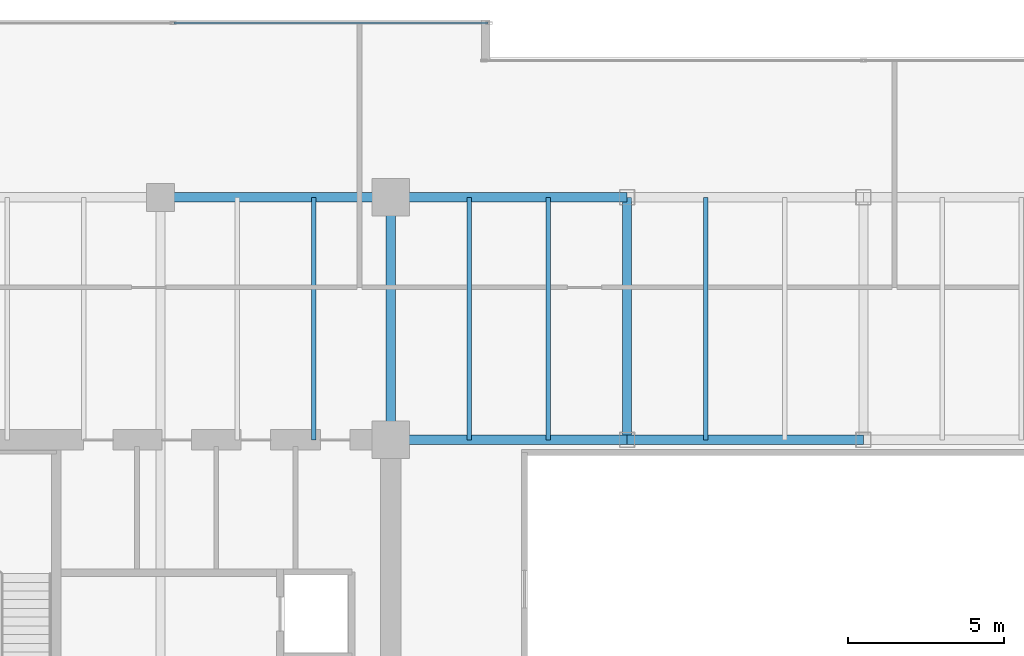
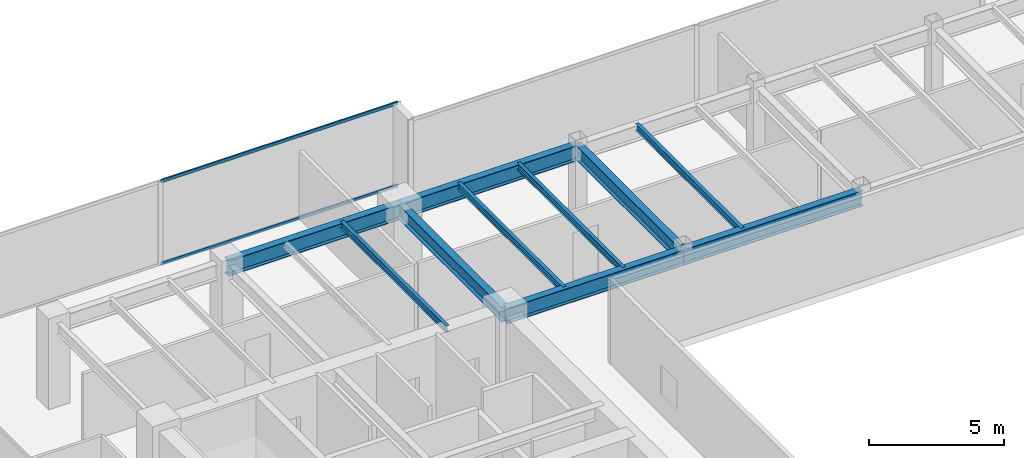
# One storey, part 15 of 30: 10 beams, 2 members, 1 element without a shape of its own.
"""IFC4 building model written with IfcOpenShell, lengths in metres."""

from ifc_helpers import new_model, si_unit, direction, frame, origin, origin_2d, place, context, subcontext, project, spatial, hollow_rectangle, i_section, extrude, source, transform, mapped, material, layer, layer_set, material_profile, profile_set, type_object, type_shapes, element, aggregate, save


model = new_model("IFC4")

# Units and contexts
model_context = context("Model", 3, precision=1e-05, world=origin(), true_north=direction((0.0, 1.0)))
body_context = subcontext(model_context, "Body", "Model", "MODEL_VIEW")
ifc_project = project(units=[si_unit("LENGTHUNIT", "METRE"), si_unit("AREAUNIT", "SQUARE_METRE"), si_unit("VOLUMEUNIT", "CUBIC_METRE"), si_unit("PLANEANGLEUNIT", "RADIAN"), si_unit("MASSUNIT", "GRAM", prefix="KILO")], contexts=[model_context])

# Site, building, storey
site_placement = place(None, origin())
site = spatial("IfcSite", under=ifc_project, at=site_placement, CompositionType="ELEMENT")
building_placement = place(site_placement, origin())
building = spatial("IfcBuilding", under=site, at=building_placement, Name="Haelvirn Gate Laboratories", CompositionType="ELEMENT")
storey_placement = place(building_placement, frame((0.0, 0.0, 105.10009765625)))
storey = spatial("IfcBuildingStorey", under=building, at=storey_placement, Name="L25", CompositionType="ELEMENT", Elevation=105.10009765625)

# Beams
ifc_material_1 = material(Name="Steel SM355", Category="steel")
ifc_material_profile_1 = material_profile(ifc_material_1, i_section(OverallWidth=0.300048828125, OverallDepth=0.64990234375, WebThickness=0.012939453125, FlangeThickness=0.02197265625, at=origin_2d()), Name="H-650x300x13x22")
ifc_profile_set_1 = profile_set([ifc_material_profile_1], Name="Steel SM355")
beam_type_1 = type_object("IfcBeamType", Name="BM-G-650", PredefinedType="BEAM", material=ifc_profile_set_1)
shared_shape_1 = source(origin(), body_context, "Body", "SweptSolid", [
    extrude(i_section(OverallWidth=0.300048828125, OverallDepth=0.64990234375, WebThickness=0.012939453125, FlangeThickness=0.02197265625, at=origin_2d()), origin(), (0.0, 0.0, 1.0), 7.800048828125),
])
type_shapes(beam_type_1, [shared_shape_1])
for number, where, z_axis, x_axis, name in (
    (1, (22.199951171875, 33.800048828125, 3.46484375), (0.0, 1.0, 0.0), (-1.0, 0.0, 0.0), "L25 Frame Girder X22.2 (33.8-41.6)"),
    (2, (29.800048828125, 33.800048828125, 3.46484375), (0.0, 1.0, 0.0), (-1.0, 0.0, 0.0), "L25 Frame Girder X29.8 (33.8-41.6)"),
):
    element("IfcBeam", number, at=place(storey_placement, frame(where, z_axis=z_axis, x_axis=x_axis)), inside=storey, type_object=beam_type_1, Name=name, PredefinedType="BEAM", context=body_context, shape_type="MappedRepresentation", body=[
        mapped(shared_shape_1, transform((0.0, 0.0, 0.0), scale=1.0)),
    ])
ifc_material_profile_2 = material_profile(ifc_material_1, i_section(OverallWidth=0.300048828125, OverallDepth=0.699951171875, WebThickness=0.012939453125, FlangeThickness=0.02392578125, at=origin_2d()), Name="H-700x300x13x24")
ifc_profile_set_2 = profile_set([ifc_material_profile_2], Name="Steel SM355")
beam_type_2 = type_object("IfcBeamType", Name="BM-G-700", PredefinedType="BEAM", material=ifc_profile_set_2)
shared_shape_2 = source(origin(), body_context, "Body", "SweptSolid", [
    extrude(i_section(OverallWidth=0.300048828125, OverallDepth=0.699951171875, WebThickness=0.012939453125, FlangeThickness=0.02392578125, at=origin_2d()), origin(), (0.0, 0.0, 1.0), 7.39990234375),
])
beam_1_placement = place(storey_placement, frame((14.800048828125, 41.60009765625, 3.43994140625), z_axis=(1.0, 0.0, 0.0), x_axis=(0.0, 1.0, 0.0)))
element("IfcBeam", 3, at=beam_1_placement, inside=storey, type_object=beam_type_2, Name="L25 Primary Girder Y41.6 (14.8-22.2)", PredefinedType="BEAM", context=body_context, shape_type="MappedRepresentation", body=[
    mapped(shared_shape_2, transform((0.0, 0.0, 0.0), scale=1.0)),
])
shared_shape_3 = source(origin(), body_context, "Body", "SweptSolid", [
    extrude(i_section(OverallWidth=0.300048828125, OverallDepth=0.699951171875, WebThickness=0.012939453125, FlangeThickness=0.02392578125, at=origin_2d()), origin(), (0.0, 0.0, 1.0), 7.60009765625),
])
for number, where, z_axis, x_axis, name in (
    (4, (22.199951171875, 33.800048828125, 3.43994140625), (1.0, 0.0, 0.0), (0.0, 1.0, 0.0), "L25 Primary Girder Y33.8 (22.2-29.8)"),
    (5, (22.199951171875, 41.60009765625, 3.43994140625), (1.0, 0.0, 0.0), (0.0, 1.0, 0.0), "L25 Primary Girder Y41.6 (22.2-29.8)"),
):
    element("IfcBeam", number, at=place(storey_placement, frame(where, z_axis=z_axis, x_axis=x_axis)), inside=storey, type_object=beam_type_2, Name=name, PredefinedType="BEAM", context=body_context, shape_type="MappedRepresentation", body=[
        mapped(shared_shape_3, transform((0.0, 0.0, 0.0), scale=1.0)),
    ])
shared_shape_4 = source(origin(), body_context, "Body", "SweptSolid", [
    extrude(i_section(OverallWidth=0.300048828125, OverallDepth=0.699951171875, WebThickness=0.012939453125, FlangeThickness=0.02392578125, at=origin_2d()), origin(), (0.0, 0.0, 1.0), 7.599853515625),
])
type_shapes(beam_type_2, [shared_shape_2, shared_shape_3, shared_shape_4])
beam_2_placement = place(storey_placement, frame((29.800048828125, 33.800048828125, 3.43994140625), z_axis=(1.0, 0.0, 0.0), x_axis=(0.0, 1.0, 0.0)))
element("IfcBeam", 6, at=beam_2_placement, inside=storey, type_object=beam_type_2, Name="L25 Primary Girder Y33.8 (29.8-37.4)", PredefinedType="BEAM", context=body_context, shape_type="MappedRepresentation", body=[
    mapped(shared_shape_4, transform((0.0, 0.0, 0.0), scale=1.0)),
])
ifc_material_profile_3 = material_profile(ifc_material_1, i_section(OverallWidth=0.14990234375, OverallDepth=0.300048828125, WebThickness=0.006591796875, FlangeThickness=0.009033203125, at=origin_2d()), Name="H-300x150x6.5x9")
ifc_profile_set_3 = profile_set([ifc_material_profile_3], Name="Steel SM355")
beam_type_3 = type_object("IfcBeamType", Name="BM-J-300", PredefinedType="JOIST", material=ifc_profile_set_3)
shared_shape_5 = source(origin(), body_context, "Body", "SweptSolid", [
    extrude(i_section(OverallWidth=0.14990234375, OverallDepth=0.300048828125, WebThickness=0.006591796875, FlangeThickness=0.009033203125, at=origin_2d()), origin(), (0.0, 0.0, 1.0), 7.800048828125),
])
type_shapes(beam_type_3, [shared_shape_5])
for number, where, z_axis, x_axis, name in (
    (7, (19.72998046875, 33.800048828125, 3.639892578125), (0.0, 1.0, 0.0), (-1.0, 0.0, 0.0), "L25 Composite Lab Joist North X19.73"),
    (8, (24.72998046875, 33.800048828125, 3.639892578125), (0.0, 1.0, 0.0), (-1.0, 0.0, 0.0), "L25 Composite Lab Joist North X24.73"),
    (9, (27.27001953125, 33.800048828125, 3.639892578125), (0.0, 1.0, 0.0), (-1.0, 0.0, 0.0), "L25 Composite Lab Joist North X27.27"),
    (10, (32.330078125, 33.800048828125, 3.639892578125), (0.0, 1.0, 0.0), (-1.0, 0.0, 0.0), "L25 Composite Lab Joist North X32.33"),
):
    element("IfcBeam", number, at=place(storey_placement, frame(where, z_axis=z_axis, x_axis=x_axis)), inside=storey, type_object=beam_type_3, Name=name, PredefinedType="JOIST", context=body_context, shape_type="MappedRepresentation", body=[
        mapped(shared_shape_5, transform((0.0, 0.0, 0.0), scale=1.0)),
    ])

# Curtain wall, members
ifc_material_2 = material(Name="Anodised bronze unitised aluminium & triple low-E glass", Category="aluminium")
ifc_layer = layer(ifc_material_2, 0.179931640625, Name="CW-SYS-3")
ifc_layer_set = layer_set([ifc_layer], Name="Anodised bronze unitised aluminium & triple low-E glass")
curtain_wall_type = type_object("IfcCurtainWallType", Name="CW-SYS-3", PredefinedType="NOTDEFINED", material=ifc_layer_set)
curtain_wall_placement = place(storey_placement, origin())
curtain_wall = element("IfcCurtainWall", 11, at=curtain_wall_placement, inside=storey, type_object=curtain_wall_type, Name="L25 Unitised Curtain Wall CW-L25-P0-E14-1", PredefinedType="NOTDEFINED")
ifc_material_3 = material(Name="Extruded aluminium 6063-T6 (anodised bronze)", Category="aluminium")
ifc_material_profile_4 = material_profile(ifc_material_3, hollow_rectangle(XDim=0.06494140625, YDim=0.139892578125, WallThickness=0.00390625, at=origin_2d()), Name="CWT-140x65x4")
ifc_profile_set_4 = profile_set([ifc_material_profile_4], Name="Extruded aluminium 6063-T6 (anodised bronze)")
member_type = type_object("IfcMemberType", Name="CWT-T140", PredefinedType="USERDEFINED", material=ifc_profile_set_4)
shared_shape_6 = source(origin(), body_context, "Body", "SweptSolid", [
    extrude(hollow_rectangle(XDim=0.06494140625, YDim=0.139892578125, WallThickness=0.00390625, at=origin_2d()), origin(), (0.0, 0.0, 1.0), 10.08740234375),
])
type_shapes(member_type, [shared_shape_6])
member_1_placement = place(storey_placement, frame((15.237548828125, 47.199951171875, 0.032470703125), z_axis=(1.0, 0.0, 0.0), x_axis=(0.0, 1.0, 0.0)))
member_1 = element("IfcMember", 12, at=member_1_placement, type_object=member_type, Name="CW3 transom 2.1", ObjectType="TRANSOM", PredefinedType="USERDEFINED", context=body_context, shape_type="MappedRepresentation", body=[
    mapped(shared_shape_6, transform((0.0, 0.0, 0.0), scale=1.0)),
])
member_2_placement = place(storey_placement, frame((15.237548828125, 47.199951171875, 3.75732421875), z_axis=(1.0, 0.0, 0.0), x_axis=(0.0, 1.0, 0.0)))
member_2 = element("IfcMember", 13, at=member_2_placement, type_object=member_type, Name="CW3 transom 2.2", ObjectType="TRANSOM", PredefinedType="USERDEFINED", context=body_context, shape_type="MappedRepresentation", body=[
    mapped(shared_shape_6, transform((0.0, 0.0, 0.0), scale=1.0)),
])
aggregate(curtain_wall, [member_1, member_2])

save(model, "model.ifc")
